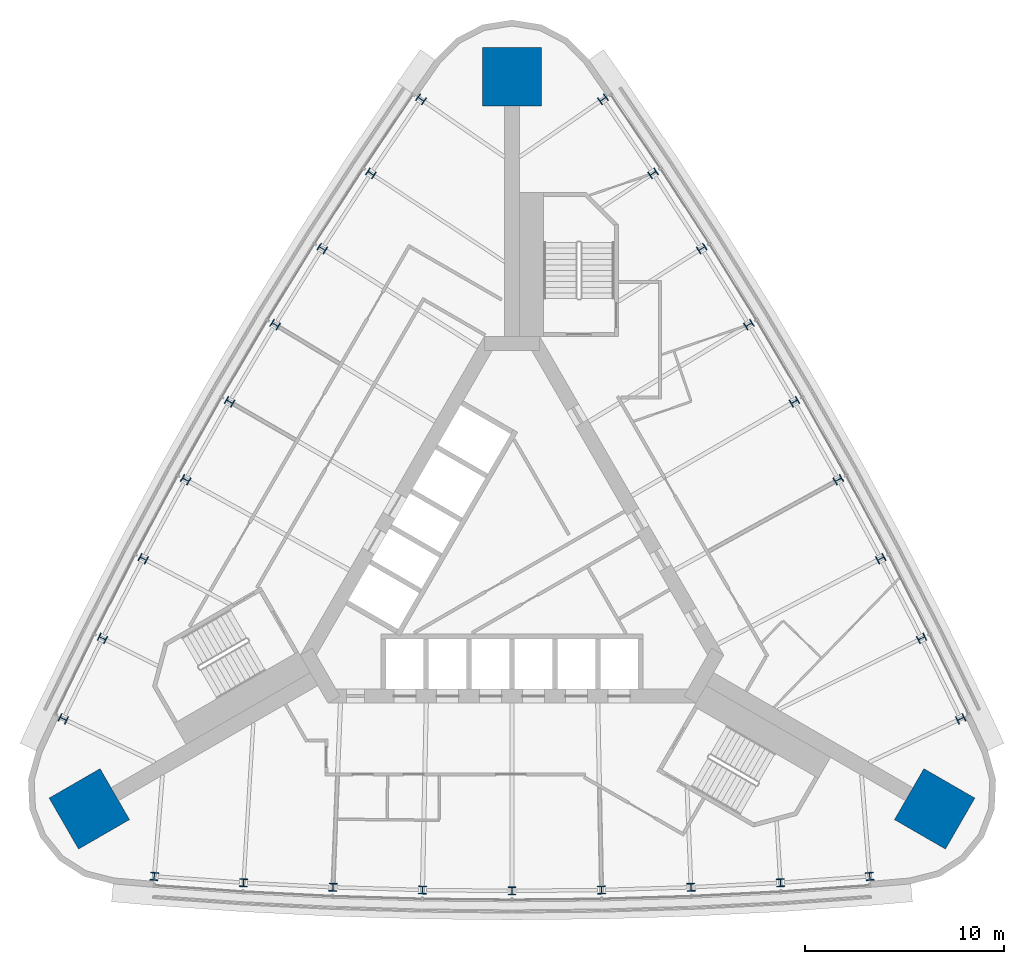
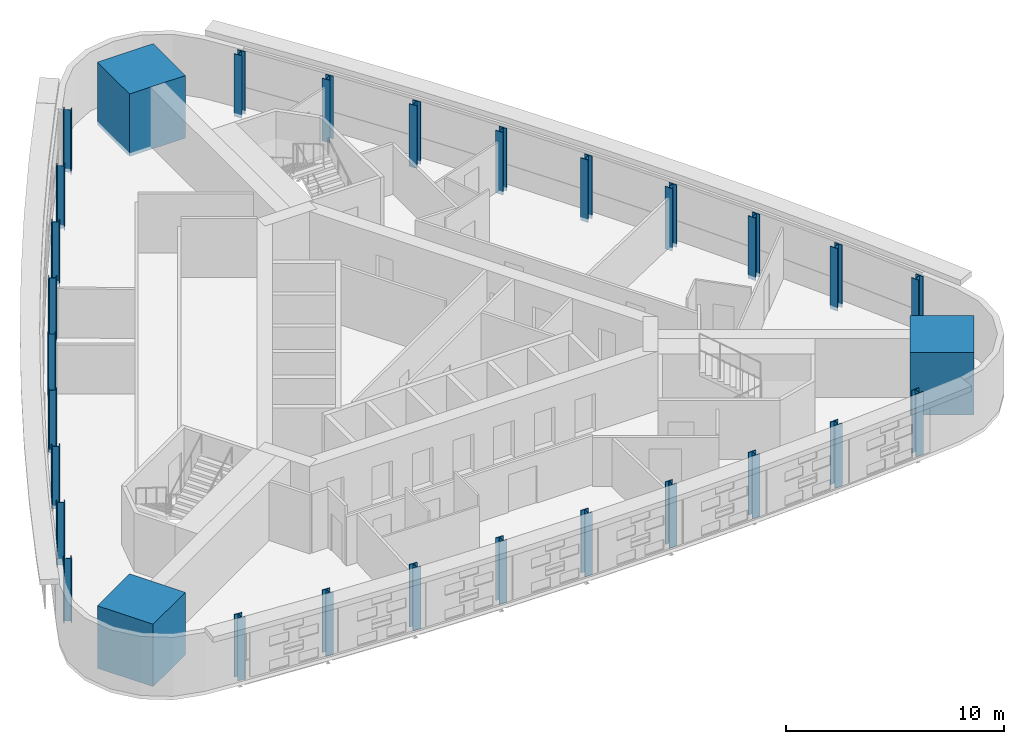
# One storey, part 1 of 11: 30 columns.
"""IFC4 building model written with IfcOpenShell, lengths in metres."""

from ifc_helpers import new_model, si_unit, direction, frame, origin, origin_2d, place, context, subcontext, project, spatial, rectangle, i_section, extrude, material, material_profile, profile_set, type_object, element, save


model = new_model("IFC4")

# Units and contexts
model_context = context("Model", 3, precision=1e-05, world=origin(), true_north=direction((0.0, 1.0)))
body_context = subcontext(model_context, "Body", "Model", "MODEL_VIEW")
ifc_project = project(units=[si_unit("LENGTHUNIT", "METRE"), si_unit("AREAUNIT", "SQUARE_METRE"), si_unit("VOLUMEUNIT", "CUBIC_METRE"), si_unit("PLANEANGLEUNIT", "RADIAN"), si_unit("MASSUNIT", "GRAM", prefix="KILO")], contexts=[model_context])

# Site, building, storey
site_placement = place(None, origin())
site = spatial("IfcSite", under=ifc_project, at=site_placement, CompositionType="ELEMENT")
building_placement = place(site_placement, origin())
building = spatial("IfcBuilding", under=site, at=building_placement, Name="Noor Cloister Tower", CompositionType="ELEMENT")
storey_placement = place(building_placement, frame((0.0, 0.0, 123.89990234375)))
storey = spatial("IfcBuildingStorey", under=building, at=storey_placement, Name="L32", CompositionType="ELEMENT", Elevation=123.89990234375)

# Columns
ifc_material_1 = material(Name="Steel ASTM A992 Gr 50", Category="steel")
ifc_material_profile_1 = material_profile(ifc_material_1, i_section(OverallWidth=0.40087890625, OverallDepth=0.39892578125, WebThickness=0.02490234375, FlangeThickness=0.03955078125, FilletRadius=0.015380859375, at=origin_2d()), Name="W360x314")
ifc_profile_set_1 = profile_set([ifc_material_profile_1], Name="Steel ASTM A992 Gr 50")
column_type_1 = type_object("IfcColumnType", Name="Column W360x314", PredefinedType="COLUMN", material=ifc_profile_set_1)
for number, where, z_axis, x_axis, name in (
    (1, (-4.56005859375, 23.343017578125, -0.199951171875), (0.0, 0.0, 1.0), (-0.568579465539, -0.822628343401, 0.0), "Column NW 01 L32"),
    (2, (-7.07470703125, 19.624755859375, -0.199951171875), (0.0, 0.0, 1.0), (-0.551768440172, -0.83399735517, 0.0), "Column NW 02 L32"),
    (3, (-9.513427734375, 15.856201171875, -0.199951171875), (0.0, 0.0, 1.0), (-0.534730160694, -0.845022872616, 0.0), "Column NW 03 L32"),
    (4, (-11.875, 12.0390625, -0.199951171875), (0.0, 0.0, 1.0), (-0.517471644577, -0.855700354715, 0.0), "Column NW 04 L32"),
    (5, (-14.15869140625, 8.174560546875, -0.199951171875), (0.0, 0.0, 1.0), (-0.5, -0.866025403784, 0.0), "Column NW 05 L32"),
    (6, (-16.363525390625, 4.2646484375, -0.199951171875), (0.0, 0.0, 1.0), (-0.482322422922, -0.875993767299, 0.0), "Column NW 06 L32"),
    (7, (-18.488525390625, 0.310791015625, -0.199951171875), (0.0, 0.0, 1.0), (-0.464446194118, -0.885601339639, 0.0), "Column NW 07 L32"),
    (8, (-20.532958984375, -3.685546875, -0.199951171875), (0.0, 0.0, 1.0), (-0.446378676181, -0.89484416378, 0.0), "Column NW 08 L32"),
    (9, (-22.495849609375, -7.722412109375, -0.199951171875), (0.0, 0.0, 1.0), (-0.428127310489, -0.903718432928, 0.0), "Column NW 09 L32"),
    (10, (-17.935546875, -15.620849609375, -0.199951171875), (0.0, 0.0, 1.0), (0.996706776028, -0.081090089527, 0.0), "Column S 01 L32"),
    (11, (-13.458251953125, -15.939208984375, -0.199951171875), (0.0, 0.0, 1.0), (0.998147116352, -0.06084680861, 0.0), "Column S 02 L32"),
    (12, (-8.97509765625, -16.1669921875, -0.199951171875), (0.0, 0.0, 1.0), (0.999176354811, -0.040578467022, 0.0), "Column S 03 L32"),
    (13, (-4.488525390625, -16.3037109375, -0.199951171875), (0.0, 0.0, 1.0), (0.999794067499, -0.020293412584, 0.0), "Column S 04 L32"),
    (14, (0.0, -16.34912109375, -0.199951171875), (0.0, 0.0, 1.0), (1.0, 0.0, 0.0), "Column S 05 L32"),
    (15, (4.488525390625, -16.3037109375, -0.199951171875), (0.0, 0.0, 1.0), (0.999794067499, 0.020293412584, 0.0), "Column S 06 L32"),
    (16, (8.97509765625, -16.1669921875, -0.199951171875), (0.0, 0.0, 1.0), (0.999176354811, 0.040578467022, 0.0), "Column S 07 L32"),
    (17, (13.458251953125, -15.939208984375, -0.199951171875), (0.0, 0.0, 1.0), (0.998147116352, 0.06084680861, 0.0), "Column S 08 L32"),
    (18, (17.935546875, -15.620849609375, -0.199951171875), (0.0, 0.0, 1.0), (0.996706776028, 0.081090089527, 0.0), "Column S 09 L32"),
    (19, (22.495849609375, -7.722412109375, -0.199951171875), (0.0, 0.0, 1.0), (-0.428127310489, 0.903718432928, 0.0), "Column NE 01 L32"),
    (20, (20.532958984375, -3.685546875, -0.199951171875), (0.0, 0.0, 1.0), (-0.446378676181, 0.89484416378, 0.0), "Column NE 02 L32"),
    (21, (18.488525390625, 0.310791015625, -0.199951171875), (0.0, 0.0, 1.0), (-0.464446194118, 0.885601339639, 0.0), "Column NE 03 L32"),
    (22, (16.363525390625, 4.2646484375, -0.199951171875), (0.0, 0.0, 1.0), (-0.482322422922, 0.875993767299, 0.0), "Column NE 04 L32"),
    (23, (14.15869140625, 8.174560546875, -0.199951171875), (0.0, 0.0, 1.0), (-0.5, 0.866025403784, 0.0), "Column NE 05 L32"),
    (24, (11.875, 12.0390625, -0.199951171875), (0.0, 0.0, 1.0), (-0.517471644577, 0.855700354715, 0.0), "Column NE 06 L32"),
    (25, (9.513427734375, 15.856201171875, -0.199951171875), (0.0, 0.0, 1.0), (-0.534730160694, 0.845022872616, 0.0), "Column NE 07 L32"),
    (26, (7.07470703125, 19.624755859375, -0.199951171875), (0.0, 0.0, 1.0), (-0.551768440172, 0.83399735517, 0.0), "Column NE 08 L32"),
    (27, (4.56005859375, 23.343017578125, -0.199951171875), (0.0, 0.0, 1.0), (-0.568579465539, 0.822628343401, 0.0), "Column NE 09 L32"),
):
    element("IfcColumn", number, at=place(storey_placement, frame(where, z_axis=z_axis, x_axis=x_axis)), inside=storey, type_object=column_type_1, Name=name, PredefinedType="COLUMN", context=body_context, shape_type="SweptSolid", body=[
        extrude(i_section(OverallWidth=0.40087890625, OverallDepth=0.39892578125, WebThickness=0.02490234375, FlangeThickness=0.03955078125, FilletRadius=0.015380859375, at=origin_2d()), origin(), (0.0, 0.0, 1.0), 3.5),
    ])
ifc_material_2 = material(Name="Concrete C80/95", Category="concrete")
ifc_material_profile_2 = material_profile(ifc_material_2, rectangle(XDim=2.949951171875, YDim=2.949951171875, at=origin_2d()), Name="RC 2950x2950")
ifc_profile_set_2 = profile_set([ifc_material_profile_2], Name="Concrete C80/95")
column_type_2 = type_object("IfcColumnType", Name="Corner pier 2950 x 2950 C80/95", PredefinedType="COLUMN", material=ifc_profile_set_2)
for number, where, z_axis, x_axis, name in (
    (28, (0.0, 24.469970703125, -0.199951171875), (0.0, 0.0, 1.0), (0.0, 1.0, 0.0), "Corner pier N L32"),
    (29, (-21.191650390625, -12.235107421875, -0.199951171875), (0.0, 0.0, 1.0), (-0.866025403784, -0.5, 0.0), "Corner pier SW L32"),
    (30, (21.191650390625, -12.235107421875, -0.199951171875), (0.0, 0.0, 1.0), (0.866025403784, -0.5, 0.0), "Corner pier SE L32"),
):
    element("IfcColumn", number, at=place(storey_placement, frame(where, z_axis=z_axis, x_axis=x_axis)), inside=storey, type_object=column_type_2, Name=name, PredefinedType="COLUMN", context=body_context, shape_type="SweptSolid", body=[
        extrude(rectangle(XDim=2.949951171875, YDim=2.949951171875, at=origin_2d()), origin(), (0.0, 0.0, 1.0), 3.5),
    ])

save(model, "model.ifc")
